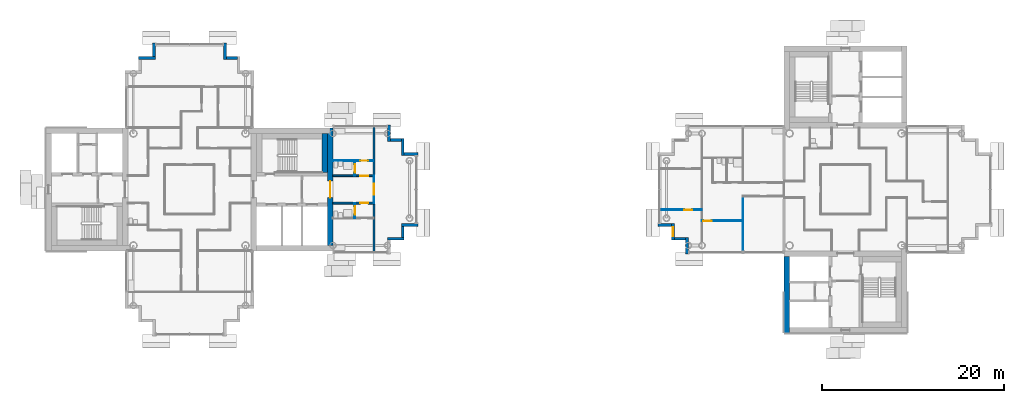
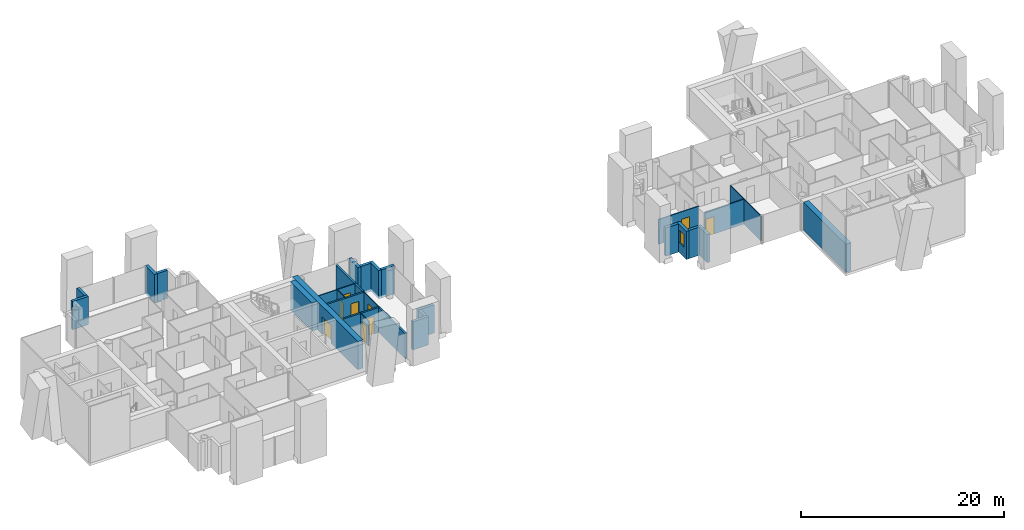
# One storey, part 8 of 18: 29 walls, 9 doors, 1 window, 10 openings.
"""IFC4 building model written with IfcOpenShell, lengths in metres."""

from ifc_helpers import new_model, si_unit, direction, frame, frame_2d, origin, place, context, subcontext, project, spatial, rectangle, extrude, material, layer, layer_set, type_object, element, fill, save


model = new_model("IFC4")

# Units and contexts
model_context = context("Model", 3, precision=1e-05, world=origin(), true_north=direction((0.0, 1.0)))
body_context = subcontext(model_context, "Body", "Model", "MODEL_VIEW")
ifc_project = project(units=[si_unit("LENGTHUNIT", "METRE"), si_unit("AREAUNIT", "SQUARE_METRE"), si_unit("VOLUMEUNIT", "CUBIC_METRE"), si_unit("PLANEANGLEUNIT", "RADIAN"), si_unit("MASSUNIT", "GRAM", prefix="KILO")], contexts=[model_context])

# Site, building, storey
site_placement = place(None, origin())
site = spatial("IfcSite", under=ifc_project, at=site_placement, CompositionType="ELEMENT")
building_placement = place(site_placement, origin())
building = spatial("IfcBuilding", under=site, at=building_placement, Name="Ipe Terrace Towers", CompositionType="ELEMENT")
storey_placement = place(building_placement, frame((0.0, 0.0, 202.800048828125)))
storey = spatial("IfcBuildingStorey", under=building, at=storey_placement, Name="L56", CompositionType="ELEMENT", Elevation=202.800048828125)

# Walls
ifc_material_1 = material(Name="Concrete C40/50 with buff precast cladding", Category="concrete")
ifc_layer_1 = layer(ifc_material_1, 0.320068359375)
ifc_layer_set_1 = layer_set([ifc_layer_1], Name="BUFF CLADDING WALL 320")
wall_type_1 = type_object("IfcWallType", Name="BUFF CLADDING WALL 320", PredefinedType="STANDARD", material=ifc_layer_set_1)
wall_1_placement = place(storey_placement, frame((-14.25, -5.409912109375, -0.300048828125), z_axis=(0.0, 0.0, 1.0), x_axis=(1.0, 0.0, 0.0)))
element("IfcWall", 1, at=wall_1_placement, inside=storey, type_object=wall_type_1, Name="T1-W-L56-18a wall", PredefinedType="STANDARD", context=body_context, shape_type="SweptSolid", body=[
    extrude(rectangle(XDim=1.820068359375, YDim=0.320068359375, at=frame_2d((0.91015625, 0.0))), origin(), (0.0, 0.0, 1.0), 3.39990234375),
])
wall_2_placement = place(storey_placement, frame((-12.590087890625, -5.25, -0.300048828125), z_axis=(0.0, 0.0, 1.0), x_axis=(0.0, 1.0, 0.0)))
element("IfcWall", 2, at=wall_2_placement, inside=storey, type_object=wall_type_1, Name="T1-W-L56-19a wall", PredefinedType="STANDARD", context=body_context, shape_type="SweptSolid", body=[
    extrude(rectangle(XDim=1.179931640625, YDim=0.320068359375, at=frame_2d((0.58984375, 0.0))), origin(), (0.0, 0.0, 1.0), 3.39990234375),
])
wall_3_placement = place(storey_placement, frame((-12.75, -3.909912109375, -0.300048828125), z_axis=(0.0, 0.0, 1.0), x_axis=(1.0, 0.0, 0.0)))
element("IfcWall", 3, at=wall_3_placement, inside=storey, type_object=wall_type_1, Name="T1-W-L56-20a wall", PredefinedType="STANDARD", context=body_context, shape_type="SweptSolid", body=[
    extrude(rectangle(XDim=1.820068359375, YDim=0.320068359375, at=frame_2d((0.91015625, 0.0))), origin(), (0.0, 0.0, 1.0), 3.39990234375),
])
wall_4_placement = place(storey_placement, frame((-10.929931640625, 3.909912109375, -0.300048828125), z_axis=(0.0, 0.0, 1.0), x_axis=(-1.0, 0.0, 0.0)))
element("IfcWall", 4, at=wall_4_placement, inside=storey, type_object=wall_type_1, Name="T1-W-L56-22a wall", PredefinedType="STANDARD", context=body_context, shape_type="SweptSolid", body=[
    extrude(rectangle(XDim=1.5, YDim=0.320068359375, at=frame_2d((0.75, 0.0))), origin(), (0.0, 0.0, 1.0), 3.39990234375),
])
wall_5_placement = place(storey_placement, frame((-12.590087890625, 3.75, -0.300048828125), z_axis=(0.0, 0.0, 1.0), x_axis=(0.0, 1.0, 0.0)))
element("IfcWall", 5, at=wall_5_placement, inside=storey, type_object=wall_type_1, Name="T1-W-L56-23a wall", PredefinedType="STANDARD", context=body_context, shape_type="SweptSolid", body=[
    extrude(rectangle(XDim=1.820068359375, YDim=0.320068359375, at=frame_2d((0.91015625, 0.0))), origin(), (0.0, 0.0, 1.0), 3.39990234375),
])
wall_6_placement = place(storey_placement, frame((-12.75, 5.409912109375, -0.300048828125), z_axis=(0.0, 0.0, 1.0), x_axis=(-1.0, 0.0, 0.0)))
element("IfcWall", 6, at=wall_6_placement, inside=storey, type_object=wall_type_1, Name="T1-W-L56-24a wall", PredefinedType="STANDARD", context=body_context, shape_type="SweptSolid", body=[
    extrude(rectangle(XDim=1.179931640625, YDim=0.320068359375, at=frame_2d((0.58984375, 0.0))), origin(), (0.0, 0.0, 1.0), 3.39990234375),
])
wall_7_placement = place(storey_placement, frame((-14.090087890625, 5.25, -0.300048828125), z_axis=(0.0, 0.0, 1.0), x_axis=(0.0, 1.0, 0.0)))
element("IfcWall", 7, at=wall_7_placement, inside=storey, type_object=wall_type_1, Name="T1-W-L56-25a wall", PredefinedType="STANDARD", context=body_context, shape_type="SweptSolid", body=[
    extrude(rectangle(XDim=1.820068359375, YDim=0.320068359375, at=frame_2d((0.91015625, 0.0))), origin(), (0.0, 0.0, 1.0), 3.39990234375),
])
wall_8_placement = place(storey_placement, frame((-30.75, 14.409912109375, -0.300048828125), z_axis=(0.0, 0.0, 1.0), x_axis=(-1.0, 0.0, 0.0)))
element("IfcWall", 8, at=wall_8_placement, inside=storey, type_object=wall_type_1, Name="T1-W-L56-32a wall", PredefinedType="STANDARD", context=body_context, shape_type="SweptSolid", body=[
    extrude(rectangle(XDim=1.179931640625, YDim=0.320068359375, at=frame_2d((0.58984375, 0.0))), origin(), (0.0, 0.0, 1.0), 3.39990234375),
])
wall_9_placement = place(storey_placement, frame((-32.090087890625, 14.25, -0.300048828125), z_axis=(0.0, 0.0, 1.0), x_axis=(0.0, 1.0, 0.0)))
element("IfcWall", 9, at=wall_9_placement, inside=storey, type_object=wall_type_1, Name="T1-W-L56-33a wall", PredefinedType="STANDARD", context=body_context, shape_type="SweptSolid", body=[
    extrude(rectangle(XDim=1.820068359375, YDim=0.320068359375, at=frame_2d((0.91015625, 0.0))), origin(), (0.0, 0.0, 1.0), 3.39990234375),
])
wall_10_placement = place(storey_placement, frame((-39.909912109375, 16.070068359375, -0.300048828125), z_axis=(0.0, 0.0, 1.0), x_axis=(0.0, -1.0, 0.0)))
element("IfcWall", 10, at=wall_10_placement, inside=storey, type_object=wall_type_1, Name="T1-W-L56-35a wall", PredefinedType="STANDARD", context=body_context, shape_type="SweptSolid", body=[
    extrude(rectangle(XDim=1.5, YDim=0.320068359375, at=frame_2d((0.75, 0.0))), origin(), (0.0, 0.0, 1.0), 3.39990234375),
])
wall_11_placement = place(storey_placement, frame((-39.75, 14.409912109375, -0.300048828125), z_axis=(0.0, 0.0, 1.0), x_axis=(-1.0, 0.0, 0.0)))
element("IfcWall", 11, at=wall_11_placement, inside=storey, type_object=wall_type_1, Name="T1-W-L56-36a wall", PredefinedType="STANDARD", context=body_context, shape_type="SweptSolid", body=[
    extrude(rectangle(XDim=1.820068359375, YDim=0.320068359375, at=frame_2d((0.91015625, 0.0))), origin(), (0.0, 0.0, 1.0), 3.39990234375),
])
wall_12_placement = place(storey_placement, frame((15.429931640625, -3.909912109375, -0.300048828125), z_axis=(0.0, 0.0, 1.0), x_axis=(1.0, 0.0, 0.0)))
element("IfcWall", 12, at=wall_12_placement, inside=storey, type_object=wall_type_1, Name="T2-W-L56-27a wall", PredefinedType="STANDARD", context=body_context, shape_type="SweptSolid", body=[
    extrude(rectangle(XDim=1.5, YDim=0.320068359375, at=frame_2d((0.75, 0.0))), origin(), (0.0, 0.0, 1.0), 3.39990234375),
])

# Wall, opening, window
wall_13_placement = place(storey_placement, frame((17.090087890625, -3.75, -0.300048828125), z_axis=(0.0, 0.0, 1.0), x_axis=(0.0, -1.0, 0.0)))
wall_13 = element("IfcWall", 13, at=wall_13_placement, inside=storey, type_object=wall_type_1, Name="T2-W-L56-28a wall", PredefinedType="STANDARD", context=body_context, shape_type="SweptSolid", body=[
    extrude(rectangle(XDim=1.820068359375, YDim=0.320068359375, at=frame_2d((0.91015625, 0.0))), origin(), (0.0, 0.0, 1.0), 3.39990234375),
])
opening_1_placement = place(wall_13_placement, frame((0.409912109375, 0.0, 1.199951171875)))
opening_1 = element("IfcOpeningElement", 14, at=opening_1_placement, cuts=wall_13, Name="Opening T2-W-05-L56-01", PredefinedType="OPENING", context=body_context, shape_type="SweptSolid", body=[
    extrude(rectangle(XDim=1.0, YDim=1.5, at=frame_2d((0.5, 0.75))), frame((0.0, 0.169921875, 0.0), z_axis=(0.0, -1.0, 0.0), x_axis=(1.0, 0.0, 0.0)), (0.0, 0.0, 1.0), 0.340087890625),
])
ifc_material_2 = material(Name="Glass, clear laminated", Category="glass")
window_type = type_object("IfcWindowType", Name="DWELLING WINDOW 1000 x 1500", PartitioningType="SINGLE_PANEL", PredefinedType="WINDOW", material=ifc_material_2)
window_placement = place(opening_1_placement, origin())
window = element("IfcWindow", 15, at=window_placement, inside=storey, type_object=window_type, Name="W-05 window", OverallHeight=1.5, OverallWidth=1.0, PartitioningType="SINGLE_PANEL", PredefinedType="WINDOW", context=body_context, shape_type="SweptSolid", body=[
    extrude(rectangle(XDim=1.0, YDim=1.5, at=frame_2d((0.5, 0.75))), frame((0.0, 0.030029296875, 0.0), z_axis=(0.0, -1.0, 0.0), x_axis=(1.0, 0.0, 0.0)), (0.0, 0.0, 1.0), 0.06005859375),
])
fill(opening_1, window)

# Walls
wall_14_placement = place(storey_placement, frame((17.25, -5.409912109375, -0.300048828125), z_axis=(0.0, 0.0, 1.0), x_axis=(1.0, 0.0, 0.0)))
element("IfcWall", 16, at=wall_14_placement, inside=storey, type_object=wall_type_1, Name="T2-W-L56-29a wall", PredefinedType="STANDARD", context=body_context, shape_type="SweptSolid", body=[
    extrude(rectangle(XDim=1.179931640625, YDim=0.320068359375, at=frame_2d((0.58984375, 0.0))), origin(), (0.0, 0.0, 1.0), 3.39990234375),
])
wall_15_placement = place(storey_placement, frame((18.590087890625, -5.25, -0.300048828125), z_axis=(0.0, 0.0, 1.0), x_axis=(0.0, -1.0, 0.0)))
element("IfcWall", 17, at=wall_15_placement, inside=storey, type_object=wall_type_1, Name="T2-W-L56-30a wall", PredefinedType="STANDARD", context=body_context, shape_type="SweptSolid", body=[
    extrude(rectangle(XDim=1.820068359375, YDim=0.320068359375, at=frame_2d((0.91015625, 0.0))), origin(), (0.0, 0.0, 1.0), 3.39990234375),
])

# Wall, opening, door
ifc_material_3 = material(Name="Gypsum board partition", Category="plasterboard")
ifc_layer_2 = layer(ifc_material_3, 0.10009765625)
ifc_layer_set_2 = layer_set([ifc_layer_2], Name="Gypsum board partition 100 mm")
wall_type_2 = type_object("IfcWallType", Name="Gypsum board partition 100 mm", PredefinedType="PARTITIONING", material=ifc_layer_set_2)
wall_16_placement = place(storey_placement, frame((-17.85009765625, -3.14990234375, 0.0), z_axis=(0.0, 0.0, 1.0), x_axis=(0.0, 1.0, 0.0)))
wall_16 = element("IfcWall", 18, at=wall_16_placement, inside=storey, type_object=wall_type_2, Name="Gypsum board partition T1 L56 W13", PredefinedType="PARTITIONING", context=body_context, shape_type="SweptSolid", body=[
    extrude(rectangle(XDim=1.64990234375, YDim=0.10009765625, at=frame_2d((0.824951171875, 0.0))), origin(), (0.0, 0.0, 1.0), 3.0),
])
opening_2_placement = place(wall_16_placement, frame((0.39990234375, 0.0, 0.0)))
opening_2 = element("IfcOpeningElement", 19, at=opening_2_placement, cuts=wall_16, Name="Opening T1-Z4D-21", PredefinedType="OPENING", context=body_context, shape_type="SweptSolid", body=[
    extrude(rectangle(XDim=0.89990234375, YDim=2.10009765625, at=frame_2d((0.449951171875, 1.050048828125))), frame((0.0, 0.06005859375, 0.0), z_axis=(0.0, -1.0, 0.0), x_axis=(1.0, 0.0, 0.0)), (0.0, 0.0, 1.0), 0.1201171875),
])
ifc_material_4 = material(Name="Timber door leaf", Category="wood")
door_type_1 = type_object("IfcDoorType", Name="Bathroom door 900 x 2100", OperationType="NOTDEFINED", PredefinedType="DOOR", material=ifc_material_4)
door_1_placement = place(opening_2_placement, origin())
door_1 = element("IfcDoor", 20, at=door_1_placement, inside=storey, type_object=door_type_1, Name="Bathroom door T1-Z4D-21", OperationType="SINGLE_SWING_LEFT", OverallHeight=2.10009765625, OverallWidth=0.89990234375, PredefinedType="DOOR", context=body_context, shape_type="SweptSolid", body=[
    extrude(rectangle(XDim=0.89990234375, YDim=2.10009765625, at=frame_2d((0.449951171875, 1.050048828125))), frame((0.0, 0.02490234375, 0.0), z_axis=(0.0, -1.0, 0.0), x_axis=(1.0, 0.0, 0.0)), (0.0, 0.0, 1.0), 0.050048828125),
])
fill(opening_2, door_1)

wall_17_placement = place(storey_placement, frame((-17.85009765625, 1.5, 0.0), z_axis=(0.0, 0.0, 1.0), x_axis=(0.0, 1.0, 0.0)))
wall_17 = element("IfcWall", 21, at=wall_17_placement, inside=storey, type_object=wall_type_2, Name="Gypsum board partition T1 L56 W14", PredefinedType="PARTITIONING", context=body_context, shape_type="SweptSolid", body=[
    extrude(rectangle(XDim=1.64990234375, YDim=0.10009765625, at=frame_2d((0.824951171875, 0.0))), origin(), (0.0, 0.0, 1.0), 3.0),
])
opening_3_placement = place(wall_17_placement, frame((0.35009765625, 0.0, 0.0)))
opening_3 = element("IfcOpeningElement", 22, at=opening_3_placement, cuts=wall_17, Name="Opening T1-Z4D-18", PredefinedType="OPENING", context=body_context, shape_type="SweptSolid", body=[
    extrude(rectangle(XDim=0.89990234375, YDim=2.10009765625, at=frame_2d((0.449951171875, 1.050048828125))), frame((0.0, 0.06005859375, 0.0), z_axis=(0.0, -1.0, 0.0), x_axis=(1.0, 0.0, 0.0)), (0.0, 0.0, 1.0), 0.1201171875),
])
door_2_placement = place(opening_3_placement, origin())
door_2 = element("IfcDoor", 23, at=door_2_placement, inside=storey, type_object=door_type_1, Name="Bathroom door T1-Z4D-18", OperationType="SINGLE_SWING_RIGHT", OverallHeight=2.10009765625, OverallWidth=0.89990234375, PredefinedType="DOOR", context=body_context, shape_type="SweptSolid", body=[
    extrude(rectangle(XDim=0.89990234375, YDim=2.10009765625, at=frame_2d((0.449951171875, 1.050048828125))), frame((0.0, 0.02490234375, 0.0), z_axis=(0.0, -1.0, 0.0), x_axis=(1.0, 0.0, 0.0)), (0.0, 0.0, 1.0), 0.050048828125),
])
fill(opening_3, door_2)

wall_18_placement = place(storey_placement, frame((-15.75, -1.5, 0.0), z_axis=(0.0, 0.0, 1.0), x_axis=(0.0, 1.0, 0.0)))
wall_18 = element("IfcWall", 24, at=wall_18_placement, inside=storey, type_object=wall_type_2, Name="Gypsum board partition T1 L56 W15", PredefinedType="PARTITIONING", context=body_context, shape_type="SweptSolid", body=[
    extrude(rectangle(XDim=3.0, YDim=0.10009765625, at=frame_2d((1.5, 0.0))), origin(), (0.0, 0.0, 1.0), 3.0),
])
opening_4_placement = place(wall_18_placement, frame((0.89990234375, 0.0, 0.0)))
opening_4 = element("IfcOpeningElement", 25, at=opening_4_placement, cuts=wall_18, Name="Opening T1-Z4D-22", PredefinedType="OPENING", context=body_context, shape_type="SweptSolid", body=[
    extrude(rectangle(XDim=1.199951171875, YDim=2.10009765625, at=frame_2d((0.60009765625, 1.050048828125))), frame((0.0, 0.06005859375, 0.0), z_axis=(0.0, -1.0, 0.0), x_axis=(1.0, 0.0, 0.0)), (0.0, 0.0, 1.0), 0.1201171875),
])
ifc_material_5 = material(Name="Timber door leaf", Category="wood")
door_type_2 = type_object("IfcDoorType", Name="Lounge door 1200 x 2100", OperationType="NOTDEFINED", PredefinedType="DOOR", material=ifc_material_5)
door_3_placement = place(opening_4_placement, origin())
door_3 = element("IfcDoor", 26, at=door_3_placement, inside=storey, type_object=door_type_2, Name="Lounge door T1-Z4D-22", OperationType="SINGLE_SWING_RIGHT", OverallHeight=2.10009765625, OverallWidth=1.199951171875, PredefinedType="DOOR", context=body_context, shape_type="SweptSolid", body=[
    extrude(rectangle(XDim=1.199951171875, YDim=2.10009765625, at=frame_2d((0.60009765625, 1.050048828125))), frame((0.0, 0.02490234375, 0.0), z_axis=(0.0, -1.0, 0.0), x_axis=(1.0, 0.0, 0.0)), (0.0, 0.0, 1.0), 0.050048828125),
])
fill(opening_4, door_3)

wall_19_placement = place(storey_placement, frame((-20.25, 3.14990234375, 0.0), z_axis=(0.0, 0.0, 1.0), x_axis=(1.0, 0.0, 0.0)))
wall_19 = element("IfcWall", 27, at=wall_19_placement, inside=storey, type_object=wall_type_2, Name="Gypsum board partition T1 L56 W33", PredefinedType="PARTITIONING", context=body_context, shape_type="SweptSolid", body=[
    extrude(rectangle(XDim=4.5, YDim=0.10009765625, at=frame_2d((2.25, 0.0))), origin(), (0.0, 0.0, 1.0), 3.0),
])
opening_5_placement = place(wall_19_placement, frame((3.0, 0.0, 0.0)))
opening_5 = element("IfcOpeningElement", 28, at=opening_5_placement, cuts=wall_19, Name="Opening T1-Z4D-17", PredefinedType="OPENING", context=body_context, shape_type="SweptSolid", body=[
    extrude(rectangle(XDim=0.89990234375, YDim=2.10009765625, at=frame_2d((0.449951171875, 1.050048828125))), frame((0.0, 0.06005859375, 0.0), z_axis=(0.0, -1.0, 0.0), x_axis=(1.0, 0.0, 0.0)), (0.0, 0.0, 1.0), 0.1201171875),
])
ifc_material_6 = material(Name="Timber door leaf", Category="wood")
door_type_3 = type_object("IfcDoorType", Name="Bedroom door 900 x 2100", OperationType="NOTDEFINED", PredefinedType="DOOR", material=ifc_material_6)
door_4_placement = place(opening_5_placement, origin())
door_4 = element("IfcDoor", 29, at=door_4_placement, inside=storey, type_object=door_type_3, Name="Bedroom door T1-Z4D-17", OperationType="SINGLE_SWING_LEFT", OverallHeight=2.10009765625, OverallWidth=0.89990234375, PredefinedType="DOOR", context=body_context, shape_type="SweptSolid", body=[
    extrude(rectangle(XDim=0.89990234375, YDim=2.10009765625, at=frame_2d((0.449951171875, 1.050048828125))), frame((0.0, 0.02490234375, 0.0), z_axis=(0.0, -1.0, 0.0), x_axis=(1.0, 0.0, 0.0)), (0.0, 0.0, 1.0), 0.050048828125),
])
fill(opening_5, door_4)

wall_20_placement = place(storey_placement, frame((24.75, -3.449951171875, 0.0), z_axis=(0.0, 0.0, 1.0), x_axis=(-1.0, 0.0, 0.0)))
wall_20 = element("IfcWall", 30, at=wall_20_placement, inside=storey, type_object=wall_type_2, Name="Gypsum board partition T2 L56 W03", PredefinedType="PARTITIONING", context=body_context, shape_type="SweptSolid", body=[
    extrude(rectangle(XDim=4.5, YDim=0.10009765625, at=frame_2d((2.25, 0.0))), origin(), (0.0, 0.0, 1.0), 3.0),
])
opening_6_placement = place(wall_20_placement, frame((3.449951171875, 0.0, 0.0)))
opening_6 = element("IfcOpeningElement", 31, at=opening_6_placement, cuts=wall_20, Name="Opening T2-Z4D-12", PredefinedType="OPENING", context=body_context, shape_type="SweptSolid", body=[
    extrude(rectangle(XDim=0.89990234375, YDim=2.10009765625, at=frame_2d((0.449951171875, 1.050048828125))), frame((0.0, 0.06005859375, 0.0), z_axis=(0.0, -1.0, 0.0), x_axis=(1.0, 0.0, 0.0)), (0.0, 0.0, 1.0), 0.1201171875),
])
door_5_placement = place(opening_6_placement, origin())
door_5 = element("IfcDoor", 32, at=door_5_placement, inside=storey, type_object=door_type_3, Name="Bedroom door T2-Z4D-12", OperationType="SINGLE_SWING_LEFT", OverallHeight=2.10009765625, OverallWidth=0.89990234375, PredefinedType="DOOR", context=body_context, shape_type="SweptSolid", body=[
    extrude(rectangle(XDim=0.89990234375, YDim=2.10009765625, at=frame_2d((0.449951171875, 1.050048828125))), frame((0.0, 0.02490234375, 0.0), z_axis=(0.0, -1.0, 0.0), x_axis=(1.0, 0.0, 0.0)), (0.0, 0.0, 1.0), 0.050048828125),
])
fill(opening_6, door_5)

wall_21_placement = place(storey_placement, frame((20.25, -2.25, 0.0), z_axis=(0.0, 0.0, 1.0), x_axis=(-1.0, 0.0, 0.0)))
wall_21 = element("IfcWall", 33, at=wall_21_placement, inside=storey, type_object=wall_type_2, Name="Gypsum board partition T2 L56 W06", PredefinedType="PARTITIONING", context=body_context, shape_type="SweptSolid", body=[
    extrude(rectangle(XDim=4.60009765625, YDim=0.10009765625, at=frame_2d((2.300048828125, 0.0))), origin(), (0.0, 0.0, 1.0), 3.0),
])
opening_7_placement = place(wall_21_placement, frame((1.050048828125, 0.0, 0.0)))
opening_7 = element("IfcOpeningElement", 34, at=opening_7_placement, cuts=wall_21, Name="Opening T2-Z4D-15", PredefinedType="OPENING", context=body_context, shape_type="SweptSolid", body=[
    extrude(rectangle(XDim=0.89990234375, YDim=2.10009765625, at=frame_2d((0.449951171875, 1.050048828125))), frame((0.0, 0.06005859375, 0.0), z_axis=(0.0, -1.0, 0.0), x_axis=(1.0, 0.0, 0.0)), (0.0, 0.0, 1.0), 0.1201171875),
])
door_6_placement = place(opening_7_placement, origin())
door_6 = element("IfcDoor", 35, at=door_6_placement, inside=storey, type_object=door_type_3, Name="Bedroom door T2-Z4D-15", OperationType="SINGLE_SWING_RIGHT", OverallHeight=2.10009765625, OverallWidth=0.89990234375, PredefinedType="DOOR", context=body_context, shape_type="SweptSolid", body=[
    extrude(rectangle(XDim=0.89990234375, YDim=2.10009765625, at=frame_2d((0.449951171875, 1.050048828125))), frame((0.0, 0.02490234375, 0.0), z_axis=(0.0, -1.0, 0.0), x_axis=(1.0, 0.0, 0.0)), (0.0, 0.0, 1.0), 0.050048828125),
])
fill(opening_7, door_6)

# Walls
wall_22_placement = place(storey_placement, frame((24.75, -6.85009765625, 0.0), z_axis=(0.0, 0.0, 1.0), x_axis=(0.0, 1.0, 0.0)))
element("IfcWall", 36, at=wall_22_placement, inside=storey, type_object=wall_type_2, Name="Gypsum board partition T2 L56 W35", PredefinedType="PARTITIONING", context=body_context, shape_type="SweptSolid", body=[
    extrude(rectangle(XDim=6.10009765625, YDim=0.10009765625, at=frame_2d((3.050048828125, 0.0))), origin(), (0.0, 0.0, 1.0), 3.0),
])
ifc_material_7 = material(Name="Gypsum board party wall", Category="plasterboard")
ifc_layer_3 = layer(ifc_material_7, 0.199951171875)
ifc_layer_set_3 = layer_set([ifc_layer_3], Name="Gypsum board party wall 200 mm")
wall_type_3 = type_object("IfcWallType", Name="Gypsum board party wall 200 mm", PredefinedType="SOLIDWALL", material=ifc_layer_set_3)
for number, where, z_axis, x_axis, name in (
    (37, (-15.75, -6.85009765625, 0.0), (0.0, 0.0, 1.0), (0.0, 1.0, 0.0), "Gypsum board party wall T1 L56 W16"),
    (38, (-15.75, 1.5, 0.0), (0.0, 0.0, 1.0), (0.0, 1.0, 0.0), "Gypsum board party wall T1 L56 W17"),
):
    element("IfcWall", number, at=place(storey_placement, frame(where, z_axis=z_axis, x_axis=x_axis)), inside=storey, type_object=wall_type_3, Name=name, PredefinedType="SOLIDWALL", context=body_context, shape_type="SweptSolid", body=[
        extrude(rectangle(XDim=5.35009765625, YDim=0.199951171875, at=frame_2d((2.675048828125, 0.0))), origin(), (0.0, 0.0, 1.0), 3.0),
    ])

# Wall, opening, door
wall_23_placement = place(storey_placement, frame((-20.25, -1.5, 0.0), z_axis=(0.0, 0.0, 1.0), x_axis=(1.0, 0.0, 0.0)))
wall_23 = element("IfcWall", 39, at=wall_23_placement, inside=storey, type_object=wall_type_3, Name="Gypsum board party wall T1 L56 W28", PredefinedType="SOLIDWALL", context=body_context, shape_type="SweptSolid", body=[
    extrude(rectangle(XDim=4.5, YDim=0.199951171875, at=frame_2d((2.25, 0.0))), origin(), (0.0, 0.0, 1.0), 3.0),
])
opening_8_placement = place(wall_23_placement, frame((3.0, 0.0, 0.0)))
opening_8 = element("IfcOpeningElement", 40, at=opening_8_placement, cuts=wall_23, Name="Opening T1-Z4D-19", PredefinedType="OPENING", context=body_context, shape_type="SweptSolid", body=[
    extrude(rectangle(XDim=0.89990234375, YDim=2.10009765625, at=frame_2d((0.449951171875, 1.050048828125))), frame((0.0, 0.10986328125, 0.0), z_axis=(0.0, -1.0, 0.0), x_axis=(1.0, 0.0, 0.0)), (0.0, 0.0, 1.0), 0.219970703125),
])
ifc_material_8 = material(Name="Fire-rated timber door leaf", Category="wood")
door_type_4 = type_object("IfcDoorType", Name="Flat entrance door 900 x 2100 FD30S", OperationType="NOTDEFINED", PredefinedType="DOOR", material=ifc_material_8)
door_7_placement = place(opening_8_placement, origin())
door_7 = element("IfcDoor", 41, at=door_7_placement, inside=storey, type_object=door_type_4, Name="Flat entrance door T1-Z4D-19", OperationType="SINGLE_SWING_RIGHT", OverallHeight=2.10009765625, OverallWidth=0.89990234375, PredefinedType="DOOR", context=body_context, shape_type="SweptSolid", body=[
    extrude(rectangle(XDim=0.89990234375, YDim=2.10009765625, at=frame_2d((0.449951171875, 1.050048828125))), frame((0.0, 0.02490234375, 0.0), z_axis=(0.0, -1.0, 0.0), x_axis=(1.0, 0.0, 0.0)), (0.0, 0.0, 1.0), 0.050048828125),
])
fill(opening_8, door_7)

wall_24_placement = place(storey_placement, frame((-20.25, 1.5, 0.0), z_axis=(0.0, 0.0, 1.0), x_axis=(1.0, 0.0, 0.0)))
wall_24 = element("IfcWall", 42, at=wall_24_placement, inside=storey, type_object=wall_type_3, Name="Gypsum board party wall T1 L56 W31", PredefinedType="SOLIDWALL", context=body_context, shape_type="SweptSolid", body=[
    extrude(rectangle(XDim=4.5, YDim=0.199951171875, at=frame_2d((2.25, 0.0))), origin(), (0.0, 0.0, 1.0), 3.0),
])
opening_9_placement = place(wall_24_placement, frame((3.0, 0.0, 0.0)))
opening_9 = element("IfcOpeningElement", 43, at=opening_9_placement, cuts=wall_24, Name="Opening T1-Z4D-16", PredefinedType="OPENING", context=body_context, shape_type="SweptSolid", body=[
    extrude(rectangle(XDim=0.89990234375, YDim=2.10009765625, at=frame_2d((0.449951171875, 1.050048828125))), frame((0.0, 0.10986328125, 0.0), z_axis=(0.0, -1.0, 0.0), x_axis=(1.0, 0.0, 0.0)), (0.0, 0.0, 1.0), 0.219970703125),
])
door_8_placement = place(opening_9_placement, origin())
door_8 = element("IfcDoor", 44, at=door_8_placement, inside=storey, type_object=door_type_4, Name="Flat entrance door T1-Z4D-16", OperationType="SINGLE_SWING_LEFT", OverallHeight=2.10009765625, OverallWidth=0.89990234375, PredefinedType="DOOR", context=body_context, shape_type="SweptSolid", body=[
    extrude(rectangle(XDim=0.89990234375, YDim=2.10009765625, at=frame_2d((0.449951171875, 1.050048828125))), frame((0.0, 0.02490234375, 0.0), z_axis=(0.0, -1.0, 0.0), x_axis=(1.0, 0.0, 0.0)), (0.0, 0.0, 1.0), 0.050048828125),
])
fill(opening_9, door_8)

# Wall
ifc_material_9 = material(Name="Concrete C40/50", Category="concrete")
ifc_layer_4 = layer(ifc_material_9, 0.60009765625)
ifc_layer_set_4 = layer_set([ifc_layer_4], Name="RW600 CORE INFILL WALL 600 C40-50")
wall_type_4 = type_object("IfcWallType", Name="RW600 CORE INFILL WALL 600 C40-50", PredefinedType="SHEAR", material=ifc_layer_set_4)
wall_25_placement = place(storey_placement, frame((-21.14990234375, 1.85009765625, 0.0), z_axis=(0.0, 0.0, 1.0), x_axis=(0.0, 1.0, 0.0)))
element("IfcWall", 45, at=wall_25_placement, inside=storey, type_object=wall_type_4, Name="Core infill wall T1-C1-far", PredefinedType="SHEAR", context=body_context, shape_type="SweptSolid", body=[
    extrude(rectangle(XDim=4.2998046875, YDim=0.60009765625, at=frame_2d((2.14990234375, 0.0))), origin(), (0.0, 0.0, 1.0), 3.39990234375),
])

# Wall, opening, door
ifc_material_10 = material(Name="Concrete C40/50", Category="concrete")
ifc_layer_5 = layer(ifc_material_10, 0.60009765625)
ifc_layer_set_5 = layer_set([ifc_layer_5], Name="RW600 CORE WALL 600 C40-50")
wall_type_5 = type_object("IfcWallType", Name="RW600 CORE WALL 600 C40-50", PredefinedType="SHEAR", material=ifc_layer_set_5)
wall_26_placement = place(storey_placement, frame((-20.550048828125, -6.14990234375, 0.0), z_axis=(0.0, 0.0, 1.0), x_axis=(0.0, 1.0, 0.0)))
wall_26 = element("IfcWall", 46, at=wall_26_placement, inside=storey, type_object=wall_type_5, Name="Core wall T1-C1-Z4-W02", PredefinedType="SHEAR", context=body_context, shape_type="SweptSolid", body=[
    extrude(rectangle(XDim=12.89990234375, YDim=0.60009765625, at=frame_2d((6.449951171875, 0.0))), origin(), (0.0, 0.0, 1.0), 3.39990234375),
])
opening_10_placement = place(wall_26_placement, frame((5.25, 0.0, 0.0)))
opening_10 = element("IfcOpeningElement", 47, at=opening_10_placement, cuts=wall_26, Name="Opening T1C1-FD", PredefinedType="OPENING", context=body_context, shape_type="SweptSolid", body=[
    extrude(rectangle(XDim=1.800048828125, YDim=2.10009765625, at=frame_2d((0.89990234375, 1.050048828125))), frame((0.0, 0.31005859375, 0.0), z_axis=(0.0, -1.0, 0.0), x_axis=(1.0, 0.0, 0.0)), (0.0, 0.0, 1.0), 0.6201171875),
])
ifc_material_11 = material(Name="Fire-rated timber door leaf", Category="wood")
door_type_5 = type_object("IfcDoorType", Name="Fire door 1800 x 2100 FD30S", OperationType="NOTDEFINED", PredefinedType="DOOR", material=ifc_material_11)
door_9_placement = place(opening_10_placement, origin())
door_9 = element("IfcDoor", 48, at=door_9_placement, inside=storey, type_object=door_type_5, Name="Fire door T1C1-FD", OperationType="SINGLE_SWING_LEFT", OverallHeight=2.10009765625, OverallWidth=1.800048828125, PredefinedType="DOOR", context=body_context, shape_type="SweptSolid", body=[
    extrude(rectangle(XDim=1.800048828125, YDim=2.10009765625, at=frame_2d((0.89990234375, 1.050048828125))), frame((0.0, 0.02490234375, 0.0), z_axis=(0.0, -1.0, 0.0), x_axis=(1.0, 0.0, 0.0)), (0.0, 0.0, 1.0), 0.050048828125),
])
fill(opening_10, door_9)

# Wall
wall_27_placement = place(storey_placement, frame((29.550048828125, -7.35009765625, 0.0), z_axis=(0.0, 0.0, 1.0), x_axis=(0.0, -1.0, 0.0)))
element("IfcWall", 49, at=wall_27_placement, inside=storey, type_object=wall_type_5, Name="Core wall T2-C2-Z4-W04", PredefinedType="SHEAR", context=body_context, shape_type="SweptSolid", body=[
    extrude(rectangle(XDim=8.39990234375, YDim=0.60009765625, at=frame_2d((4.199951171875, 0.0))), origin(), (0.0, 0.0, 1.0), 3.39990234375),
])

save(model, "model.ifc")
